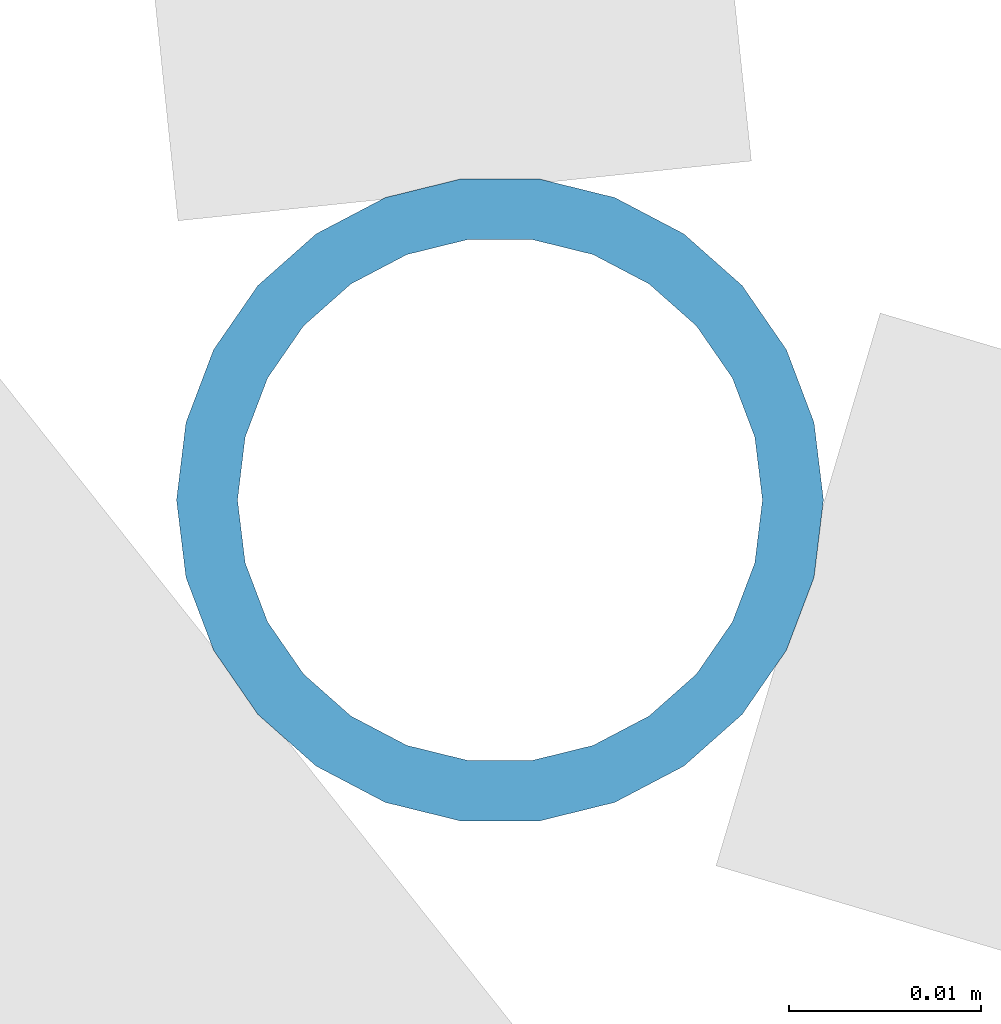
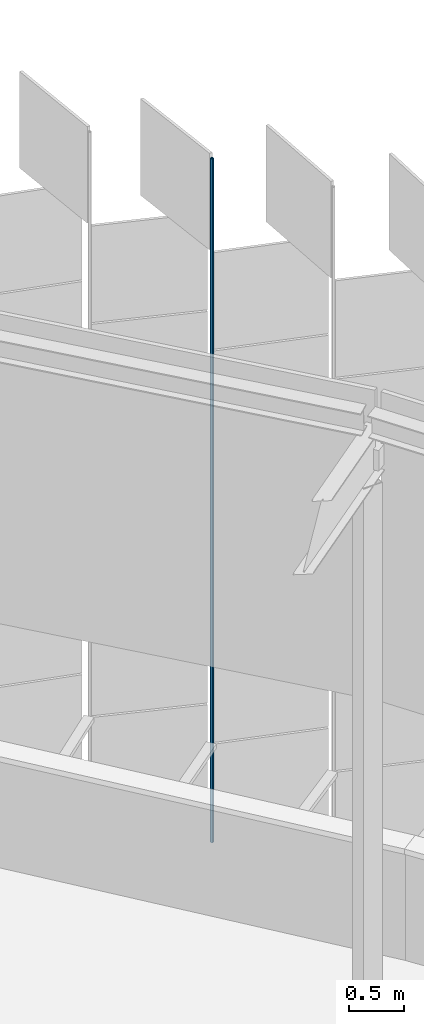
# One storey, part 313 of 483: 1 discrete accessory.
"""IFC4 building model written with IfcOpenShell, lengths in metres."""

import ifcopenshell
import ifcopenshell.guid

model = None  # the IFC model being written
_history = None  # IfcOwnerHistory: only IFC2X3 demands one
_inside = {}  # id of a spatial element -> (the spatial element, [elements in it])
_under = {}  # id of a project, library or spatial element -> (it, [spatial elements below it])
_declared = {}  # id of a project -> (the project, [libraries it declares])
_typed = {}  # id of a type object -> (the type object, [elements of that type])
_made_of = {}  # id of a material, layer set ... -> (it, [elements and type objects made of it])


def new_model(schema):
    """Start an empty IFC model of exactly this schema.

    Asked for "IFC4X3", IfcOpenShell would pick the latest addendum, in which some entities
    have other attributes; the version numbers below select the first issue.
    IFC2X3 requires an IfcOwnerHistory on every rooted entity: one is made here for all.
    """
    global model, _history
    if schema == "IFC4X3":
        model = ifcopenshell.file(schema_version=(4, 3, 0, 0))
    else:
        model = ifcopenshell.file(schema=schema)
    _inside.clear()
    _under.clear()
    _declared.clear()
    _typed.clear()
    _made_of.clear()
    _history = None
    if model.schema == "IFC2X3":
        org = make("IfcOrganization", Name="unknown")
        user = make(
            "IfcPersonAndOrganization",
            ThePerson=make("IfcPerson", FamilyName="unknown"),
            TheOrganization=org,
        )
        app = make(
            "IfcApplication",
            ApplicationDeveloper=org,
            Version="unknown",
            ApplicationFullName="unknown",
            ApplicationIdentifier="unknown",
        )
        _history = make(
            "IfcOwnerHistory",
            OwningUser=user,
            OwningApplication=app,
            ChangeAction="ADDED",
            CreationDate=0,
        )
    return model


def make(cls, **values):
    """One entity of the class cls with the attributes given. An attribute that is None is left unset."""
    return model.create_entity(
        cls, **{name: value for name, value in values.items() if value is not None}
    )


def rooted(cls, **values):
    """An entity with a GlobalId (a new one), such as an element, a storey or a relation."""
    return make(cls, GlobalId=ifcopenshell.guid.new(), OwnerHistory=_history, **values)


def si_unit(unit_type, name, prefix=None):
    """IfcSIUnit, for example si_unit("LENGTHUNIT", "METRE", prefix="MILLI")."""
    return make("IfcSIUnit", UnitType=unit_type, Prefix=prefix, Name=name)


def assignment(units):
    """IfcUnitAssignment: the units of a project."""
    return None if units is None else make("IfcUnitAssignment", Units=units)


def point(xyz):
    """IfcCartesianPoint."""
    return None if xyz is None else make("IfcCartesianPoint", Coordinates=xyz)


def direction(xyz):
    """IfcDirection."""
    return None if xyz is None else make("IfcDirection", DirectionRatios=xyz)


def frame(location, z_axis=None, x_axis=None):
    """IfcAxis2Placement3D, a coordinate frame: its origin and axes. An axis left out is left unset."""
    return make(
        "IfcAxis2Placement3D",
        Location=point(location),
        Axis=direction(z_axis),
        RefDirection=direction(x_axis),
    )


def frame_2d(location, x_axis=None):
    """IfcAxis2Placement2D, a coordinate frame in the plane: its origin and x axis."""
    return make(
        "IfcAxis2Placement2D", Location=point(location), RefDirection=direction(x_axis)
    )


def origin():
    """The frame at (0, 0, 0) with its axes left unset."""
    return frame((0.0, 0.0, 0.0))


def origin_2d():
    """The frame at (0, 0) in the plane with its x axis left unset."""
    return frame_2d((0.0, 0.0))


def place(relative_to, where):
    """IfcLocalPlacement: puts the frame where relative to a parent placement (None: the world)."""
    return make(
        "IfcLocalPlacement", PlacementRelTo=relative_to, RelativePlacement=where
    )


def context(
    kind, dimensions, precision=None, world=None, true_north=None, identifier=None
):
    """IfcGeometricRepresentationContext, for example the 3D "Model" context."""
    return make(
        "IfcGeometricRepresentationContext",
        ContextIdentifier=identifier,
        ContextType=kind,
        CoordinateSpaceDimension=dimensions,
        Precision=precision,
        WorldCoordinateSystem=world,
        TrueNorth=true_north,
    )


def subcontext(parent, identifier, kind, view, scale=None):
    """IfcGeometricRepresentationSubContext, for example "Body" below "Model"."""
    return make(
        "IfcGeometricRepresentationSubContext",
        ContextIdentifier=identifier,
        ContextType=kind,
        ParentContext=parent,
        TargetScale=scale,
        TargetView=view,
    )


def project(units=None, contexts=None):
    """IfcProject with its units and contexts."""
    return rooted(
        "IfcProject",
        Name="project",
        RepresentationContexts=contexts,
        UnitsInContext=assignment(units),
    )


def spatial(cls, under=None, at=None, **own):
    """A site, building, storey or space (cls), placed at a placement, below another one or the project."""
    s = rooted(cls, ObjectPlacement=at, **own)
    if under is not None:
        _under.setdefault(under.id(), (under, []))[1].append(s)
    return s


def profile(cls, at=None, kind="AREA", **sizes):
    """A parametric profile (cls). Its sizes go by their IFC names, for example OverallWidth=200.0."""
    return make(cls, ProfileType=kind, Position=at, **sizes)


def hollow_circle(**sizes):
    """IfcCircleHollowProfileDef."""
    return profile("IfcCircleHollowProfileDef", **sizes)


def extrude(swept, where, along, depth):
    """IfcExtrudedAreaSolid: the profile swept, set in the frame where, extruded along a direction by depth."""
    return make(
        "IfcExtrudedAreaSolid",
        SweptArea=swept,
        Position=where,
        ExtrudedDirection=direction(along),
        Depth=depth,
    )


def shape(context_of_items, identifier, shape_type, items):
    """IfcShapeRepresentation: the items that make up one representation, for example the "Body"."""
    return make(
        "IfcShapeRepresentation",
        ContextOfItems=context_of_items,
        RepresentationIdentifier=identifier,
        RepresentationType=shape_type,
        Items=items,
    )


def material(Name=None, Category=None):
    """IfcMaterial."""
    return make("IfcMaterial", Name=Name, Category=Category)


def material_profile(
    of_material, cross_section, Name=None, Category=None, Priority=None
):
    """IfcMaterialProfile: a cross section and its material."""
    return make(
        "IfcMaterialProfile",
        Name=Name,
        Material=of_material,
        Profile=cross_section,
        Priority=Priority,
        Category=Category,
    )


def profile_set(profiles, Name=None, composite=None):
    """IfcMaterialProfileSet."""
    return make(
        "IfcMaterialProfileSet",
        Name=Name,
        MaterialProfiles=profiles,
        CompositeProfile=composite,
    )


def made_of(thing, what):
    """Note that an element or type object is made of a material, layer set ...; save() writes the relation."""
    if what is not None:
        _made_of.setdefault(what.id(), (what, []))[1].append(thing)
    return thing


def type_object(cls, material=None, **own):
    """A type object (cls), such as IfcWallType, which elements share."""
    return made_of(rooted(cls, **own), material)


def element(
    cls,
    number,
    at=None,
    inside=None,
    cuts=None,
    type_object=None,
    material=None,
    context=None,
    identifier="Body",
    shape_type=None,
    held_by="IfcProductDefinitionShape",
    body=None,
    shapes=None,
    **own,
):
    """One element of the class cls, such as IfcWall. Its Tag is "e" and its number.

    at: its placement. inside: the storey or other place that contains it. cuts: it is an
    opening in that element (IfcRelVoidsElement). A single representation is given by context,
    identifier, shape_type and body (its items); several are given by shapes. held_by: the class
    of the entity that holds the representations. save() writes the other relations.
    """
    e = rooted(cls, Tag="e%d" % number, ObjectPlacement=at, **own)
    if body is not None:
        shapes = [shape(context, identifier, shape_type, body)]
    if shapes is not None:
        e.Representation = make(held_by, Representations=shapes)
    if inside is not None:
        _inside.setdefault(inside.id(), (inside, []))[1].append(e)
    if cuts is not None:
        rooted(
            "IfcRelVoidsElement", RelatingBuildingElement=cuts, RelatedOpeningElement=e
        )
    if type_object is not None:
        _typed.setdefault(type_object.id(), (type_object, []))[1].append(e)
    return made_of(e, material)


def aggregate(whole, parts):
    """IfcRelAggregates: a whole, such as a stair, and the parts it consists of."""
    return rooted("IfcRelAggregates", RelatingObject=whole, RelatedObjects=parts)


def save(model, path):
    """Write the relations noted so far, then the file.

    IfcRelAggregates (storeys below a building ...), IfcRelContainedInSpatialStructure (elements
    in a storey), IfcRelDefinesByType, IfcRelAssociatesMaterial and IfcRelDeclares: one each for
    every whole, place, type object, material and project.
    """
    for whole, parts in _under.values():
        aggregate(whole, parts)
    for where, things in _inside.values():
        rooted(
            "IfcRelContainedInSpatialStructure",
            RelatedElements=things,
            RelatingStructure=where,
        )
    for kind, things in _typed.values():
        rooted("IfcRelDefinesByType", RelatedObjects=things, RelatingType=kind)
    for what, things in _made_of.values():
        rooted("IfcRelAssociatesMaterial", RelatedObjects=things, RelatingMaterial=what)
    for by, libraries in _declared.values():
        rooted("IfcRelDeclares", RelatingContext=by, RelatedDefinitions=libraries)
    model.write(path)


model = new_model("IFC4")

# Units and contexts
model_context = context("Model", 3, precision=1e-05, world=origin(), true_north=direction((0.0, 1.0)))
body_context = subcontext(model_context, "Body", "Model", "MODEL_VIEW")
ifc_project = project(units=[si_unit("LENGTHUNIT", "METRE"), si_unit("AREAUNIT", "SQUARE_METRE"), si_unit("VOLUMEUNIT", "CUBIC_METRE"), si_unit("PLANEANGLEUNIT", "RADIAN"), si_unit("MASSUNIT", "GRAM", prefix="KILO")], contexts=[model_context])

# Site, building, storey
site_placement = place(None, origin())
site = spatial("IfcSite", under=ifc_project, at=site_placement, CompositionType="ELEMENT")
building_placement = place(site_placement, origin())
building = spatial("IfcBuilding", under=site, at=building_placement, Name="Parallax Yard Mobility Hub", CompositionType="ELEMENT")
storey_placement = place(building_placement, frame((0.0, 0.0, 13.199951171875)))
storey = spatial("IfcBuildingStorey", under=building, at=storey_placement, Name="L04", CompositionType="ELEMENT", Elevation=13.199951171875)

# Discrete accessory
ifc_material = material(Name="Steel ASTM A500 Gr C, hot-dip galvanised", Category="steel")
ifc_material_profile = material_profile(ifc_material, hollow_circle(Radius=0.016845703125, WallThickness=0.003173828125, at=origin_2d()), Name="CHS 33.7x3.2")
ifc_profile_set = profile_set([ifc_material_profile], Name="Steel ASTM A500 Gr C, hot-dip galvanised")
discrete_accessory_type = type_object("IfcDiscreteAccessoryType", Name="Hinge post CHS 33.7x3.2", PredefinedType="BRACKET", material=ifc_profile_set)
discrete_accessory_placement = place(storey_placement, frame((214.18701171875, 123.24267578125, 0.0), z_axis=(0.0, 0.0, 1.0), x_axis=(1.0, 0.0, 0.0)))
element("IfcDiscreteAccessory", 1, at=discrete_accessory_placement, inside=storey, type_object=discrete_accessory_type, Name="Hinge post bay 45.3 level L04", PredefinedType="BRACKET", context=body_context, shape_type="SweptSolid", body=[
    extrude(hollow_circle(Radius=0.016845703125, WallThickness=0.003173828125, at=origin_2d()), origin(), (0.0, 0.0, 1.0), 7.650146484375),
])

save(model, "model.ifc")
